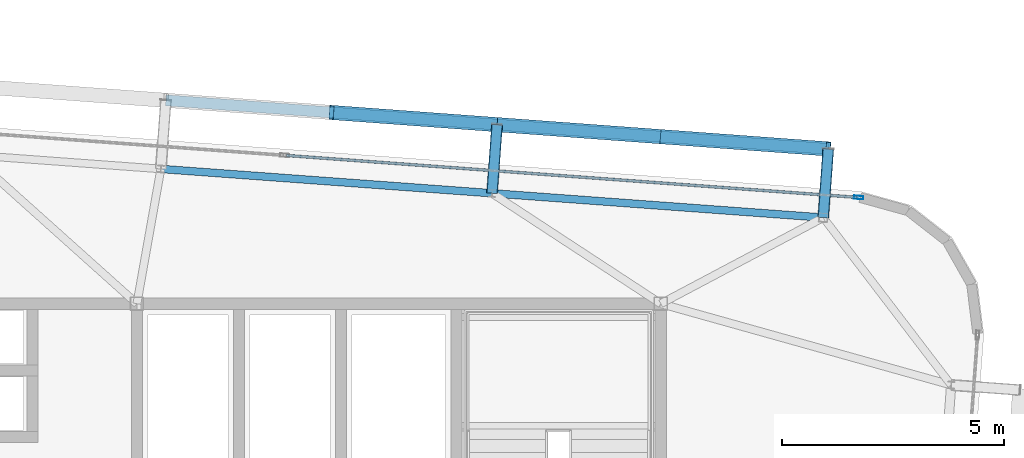
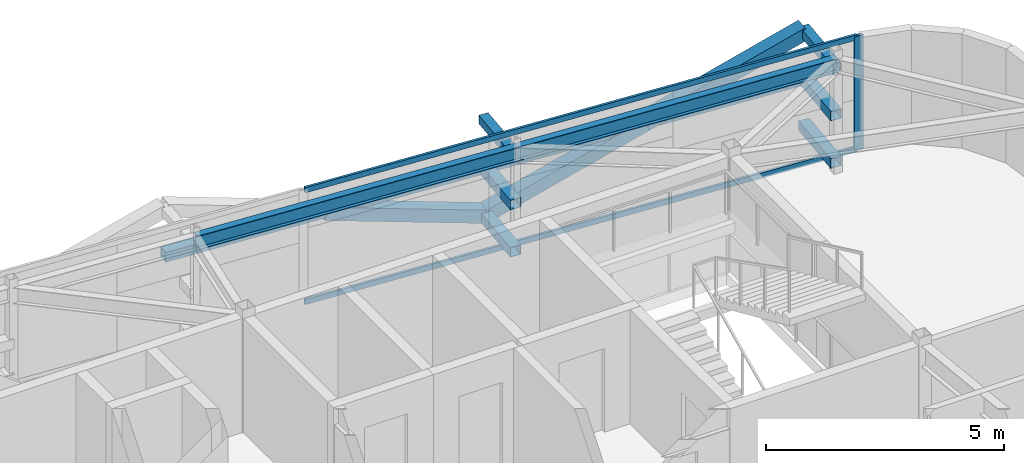
# One storey, part 22 of 35: 14 members, 2 beams, 1 element without a shape of its own.
"""IFC4 building model written with IfcOpenShell, lengths in metres."""

import ifcopenshell
import ifcopenshell.guid

model = None  # the IFC model being written
_history = None  # IfcOwnerHistory: only IFC2X3 demands one
_inside = {}  # id of a spatial element -> (the spatial element, [elements in it])
_under = {}  # id of a project, library or spatial element -> (it, [spatial elements below it])
_declared = {}  # id of a project -> (the project, [libraries it declares])
_typed = {}  # id of a type object -> (the type object, [elements of that type])
_made_of = {}  # id of a material, layer set ... -> (it, [elements and type objects made of it])


def new_model(schema):
    """Start an empty IFC model of exactly this schema.

    Asked for "IFC4X3", IfcOpenShell would pick the latest addendum, in which some entities
    have other attributes; the version numbers below select the first issue.
    IFC2X3 requires an IfcOwnerHistory on every rooted entity: one is made here for all.
    """
    global model, _history
    if schema == "IFC4X3":
        model = ifcopenshell.file(schema_version=(4, 3, 0, 0))
    else:
        model = ifcopenshell.file(schema=schema)
    _inside.clear()
    _under.clear()
    _declared.clear()
    _typed.clear()
    _made_of.clear()
    _history = None
    if model.schema == "IFC2X3":
        org = make("IfcOrganization", Name="unknown")
        user = make(
            "IfcPersonAndOrganization",
            ThePerson=make("IfcPerson", FamilyName="unknown"),
            TheOrganization=org,
        )
        app = make(
            "IfcApplication",
            ApplicationDeveloper=org,
            Version="unknown",
            ApplicationFullName="unknown",
            ApplicationIdentifier="unknown",
        )
        _history = make(
            "IfcOwnerHistory",
            OwningUser=user,
            OwningApplication=app,
            ChangeAction="ADDED",
            CreationDate=0,
        )
    return model


def make(cls, **values):
    """One entity of the class cls with the attributes given. An attribute that is None is left unset."""
    return model.create_entity(
        cls, **{name: value for name, value in values.items() if value is not None}
    )


def rooted(cls, **values):
    """An entity with a GlobalId (a new one), such as an element, a storey or a relation."""
    return make(cls, GlobalId=ifcopenshell.guid.new(), OwnerHistory=_history, **values)


def si_unit(unit_type, name, prefix=None):
    """IfcSIUnit, for example si_unit("LENGTHUNIT", "METRE", prefix="MILLI")."""
    return make("IfcSIUnit", UnitType=unit_type, Prefix=prefix, Name=name)


def assignment(units):
    """IfcUnitAssignment: the units of a project."""
    return None if units is None else make("IfcUnitAssignment", Units=units)


def point(xyz):
    """IfcCartesianPoint."""
    return None if xyz is None else make("IfcCartesianPoint", Coordinates=xyz)


def direction(xyz):
    """IfcDirection."""
    return None if xyz is None else make("IfcDirection", DirectionRatios=xyz)


def frame(location, z_axis=None, x_axis=None):
    """IfcAxis2Placement3D, a coordinate frame: its origin and axes. An axis left out is left unset."""
    return make(
        "IfcAxis2Placement3D",
        Location=point(location),
        Axis=direction(z_axis),
        RefDirection=direction(x_axis),
    )


def frame_2d(location, x_axis=None):
    """IfcAxis2Placement2D, a coordinate frame in the plane: its origin and x axis."""
    return make(
        "IfcAxis2Placement2D", Location=point(location), RefDirection=direction(x_axis)
    )


def origin():
    """The frame at (0, 0, 0) with its axes left unset."""
    return frame((0.0, 0.0, 0.0))


def origin_2d():
    """The frame at (0, 0) in the plane with its x axis left unset."""
    return frame_2d((0.0, 0.0))


def place(relative_to, where):
    """IfcLocalPlacement: puts the frame where relative to a parent placement (None: the world)."""
    return make(
        "IfcLocalPlacement", PlacementRelTo=relative_to, RelativePlacement=where
    )


def context(
    kind, dimensions, precision=None, world=None, true_north=None, identifier=None
):
    """IfcGeometricRepresentationContext, for example the 3D "Model" context."""
    return make(
        "IfcGeometricRepresentationContext",
        ContextIdentifier=identifier,
        ContextType=kind,
        CoordinateSpaceDimension=dimensions,
        Precision=precision,
        WorldCoordinateSystem=world,
        TrueNorth=true_north,
    )


def subcontext(parent, identifier, kind, view, scale=None):
    """IfcGeometricRepresentationSubContext, for example "Body" below "Model"."""
    return make(
        "IfcGeometricRepresentationSubContext",
        ContextIdentifier=identifier,
        ContextType=kind,
        ParentContext=parent,
        TargetScale=scale,
        TargetView=view,
    )


def project(units=None, contexts=None):
    """IfcProject with its units and contexts."""
    return rooted(
        "IfcProject",
        Name="project",
        RepresentationContexts=contexts,
        UnitsInContext=assignment(units),
    )


def spatial(cls, under=None, at=None, **own):
    """A site, building, storey or space (cls), placed at a placement, below another one or the project."""
    s = rooted(cls, ObjectPlacement=at, **own)
    if under is not None:
        _under.setdefault(under.id(), (under, []))[1].append(s)
    return s


def profile(cls, at=None, kind="AREA", **sizes):
    """A parametric profile (cls). Its sizes go by their IFC names, for example OverallWidth=200.0."""
    return make(cls, ProfileType=kind, Position=at, **sizes)


def hollow_rectangle(**sizes):
    """IfcRectangleHollowProfileDef."""
    return profile("IfcRectangleHollowProfileDef", **sizes)


def i_section(**sizes):
    """IfcIShapeProfileDef."""
    return profile("IfcIShapeProfileDef", **sizes)


def extrude(swept, where, along, depth):
    """IfcExtrudedAreaSolid: the profile swept, set in the frame where, extruded along a direction by depth."""
    return make(
        "IfcExtrudedAreaSolid",
        SweptArea=swept,
        Position=where,
        ExtrudedDirection=direction(along),
        Depth=depth,
    )


def shape(context_of_items, identifier, shape_type, items):
    """IfcShapeRepresentation: the items that make up one representation, for example the "Body"."""
    return make(
        "IfcShapeRepresentation",
        ContextOfItems=context_of_items,
        RepresentationIdentifier=identifier,
        RepresentationType=shape_type,
        Items=items,
    )


def source(mapping_origin, context_of_items, identifier, shape_type, items):
    """IfcRepresentationMap: a shape defined once, which mapped items show again and again."""
    return make(
        "IfcRepresentationMap",
        MappingOrigin=mapping_origin,
        MappedRepresentation=shape(context_of_items, identifier, shape_type, items),
    )


def transform(
    local_origin,
    x_axis=None,
    y_axis=None,
    z_axis=None,
    scale=None,
    scale2=None,
    scale3=None,
    uniform=True,
):
    """IfcCartesianTransformationOperator3D, or its non-uniform kind. x_axis, y_axis, z_axis: its Axis1, 2, 3."""
    if uniform:
        return make(
            "IfcCartesianTransformationOperator3D",
            Axis1=direction(x_axis),
            Axis2=direction(y_axis),
            LocalOrigin=point(local_origin),
            Scale=scale,
            Axis3=direction(z_axis),
        )
    return make(
        "IfcCartesianTransformationOperator3DnonUniform",
        Axis1=direction(x_axis),
        Axis2=direction(y_axis),
        LocalOrigin=point(local_origin),
        Scale=scale,
        Axis3=direction(z_axis),
        Scale2=scale2,
        Scale3=scale3,
    )


def mapped(mapping_source, mapping_target):
    """IfcMappedItem: shows the shape of a source again, moved by a transform."""
    return make(
        "IfcMappedItem", MappingSource=mapping_source, MappingTarget=mapping_target
    )


def material(Name=None, Category=None):
    """IfcMaterial."""
    return make("IfcMaterial", Name=Name, Category=Category)


def layer(
    of_material, thickness, ventilated=None, Name=None, Category=None, Priority=None
):
    """IfcMaterialLayer: one layer of a wall or slab, of a material (None: an air gap)."""
    return make(
        "IfcMaterialLayer",
        Material=of_material,
        LayerThickness=thickness,
        IsVentilated=ventilated,
        Name=Name,
        Category=Category,
        Priority=Priority,
    )


def layer_set(layers, Name=None):
    """IfcMaterialLayerSet."""
    return make("IfcMaterialLayerSet", MaterialLayers=layers, LayerSetName=Name)


def material_profile(
    of_material, cross_section, Name=None, Category=None, Priority=None
):
    """IfcMaterialProfile: a cross section and its material."""
    return make(
        "IfcMaterialProfile",
        Name=Name,
        Material=of_material,
        Profile=cross_section,
        Priority=Priority,
        Category=Category,
    )


def profile_set(profiles, Name=None, composite=None):
    """IfcMaterialProfileSet."""
    return make(
        "IfcMaterialProfileSet",
        Name=Name,
        MaterialProfiles=profiles,
        CompositeProfile=composite,
    )


def made_of(thing, what):
    """Note that an element or type object is made of a material, layer set ...; save() writes the relation."""
    if what is not None:
        _made_of.setdefault(what.id(), (what, []))[1].append(thing)
    return thing


def type_object(cls, material=None, **own):
    """A type object (cls), such as IfcWallType, which elements share."""
    return made_of(rooted(cls, **own), material)


def element(
    cls,
    number,
    at=None,
    inside=None,
    cuts=None,
    type_object=None,
    material=None,
    context=None,
    identifier="Body",
    shape_type=None,
    held_by="IfcProductDefinitionShape",
    body=None,
    shapes=None,
    **own,
):
    """One element of the class cls, such as IfcWall. Its Tag is "e" and its number.

    at: its placement. inside: the storey or other place that contains it. cuts: it is an
    opening in that element (IfcRelVoidsElement). A single representation is given by context,
    identifier, shape_type and body (its items); several are given by shapes. held_by: the class
    of the entity that holds the representations. save() writes the other relations.
    """
    e = rooted(cls, Tag="e%d" % number, ObjectPlacement=at, **own)
    if body is not None:
        shapes = [shape(context, identifier, shape_type, body)]
    if shapes is not None:
        e.Representation = make(held_by, Representations=shapes)
    if inside is not None:
        _inside.setdefault(inside.id(), (inside, []))[1].append(e)
    if cuts is not None:
        rooted(
            "IfcRelVoidsElement", RelatingBuildingElement=cuts, RelatedOpeningElement=e
        )
    if type_object is not None:
        _typed.setdefault(type_object.id(), (type_object, []))[1].append(e)
    return made_of(e, material)


def aggregate(whole, parts):
    """IfcRelAggregates: a whole, such as a stair, and the parts it consists of."""
    return rooted("IfcRelAggregates", RelatingObject=whole, RelatedObjects=parts)


def save(model, path):
    """Write the relations noted so far, then the file.

    IfcRelAggregates (storeys below a building ...), IfcRelContainedInSpatialStructure (elements
    in a storey), IfcRelDefinesByType, IfcRelAssociatesMaterial and IfcRelDeclares: one each for
    every whole, place, type object, material and project.
    """
    for whole, parts in _under.values():
        aggregate(whole, parts)
    for where, things in _inside.values():
        rooted(
            "IfcRelContainedInSpatialStructure",
            RelatedElements=things,
            RelatingStructure=where,
        )
    for kind, things in _typed.values():
        rooted("IfcRelDefinesByType", RelatedObjects=things, RelatingType=kind)
    for what, things in _made_of.values():
        rooted("IfcRelAssociatesMaterial", RelatedObjects=things, RelatingMaterial=what)
    for by, libraries in _declared.values():
        rooted("IfcRelDeclares", RelatingContext=by, RelatedDefinitions=libraries)
    model.write(path)


model = new_model("IFC4")

# Units and contexts
model_context = context("Model", 3, precision=1e-05, world=origin(), true_north=direction((0.0, 1.0)))
body_context = subcontext(model_context, "Body", "Model", "MODEL_VIEW")
ifc_project = project(units=[si_unit("LENGTHUNIT", "METRE"), si_unit("AREAUNIT", "SQUARE_METRE"), si_unit("VOLUMEUNIT", "CUBIC_METRE"), si_unit("PLANEANGLEUNIT", "RADIAN"), si_unit("MASSUNIT", "GRAM", prefix="KILO")], contexts=[model_context])

# Site, building, storey
site_placement = place(None, origin())
site = spatial("IfcSite", under=ifc_project, at=site_placement, CompositionType="ELEMENT")
building_placement = place(site_placement, origin())
building = spatial("IfcBuilding", under=site, at=building_placement, Name="Taldren Reach Tower", CompositionType="ELEMENT")
storey_placement = place(building_placement, frame((0.0, 0.0, 236.60009765625)))
storey = spatial("IfcBuildingStorey", under=building, at=storey_placement, Name="L72", CompositionType="ELEMENT", Elevation=236.60009765625)

# Members
ifc_material_1 = material(Name="Steel Gr 350 (C350L0)", Category="steel")
ifc_material_profile_1 = material_profile(ifc_material_1, hollow_rectangle(XDim=0.25, YDim=0.25, WallThickness=0.010009765625, at=origin_2d()), Name="250x250x10.0SHS")
ifc_profile_set_1 = profile_set([ifc_material_profile_1], Name="Steel Gr 350 (C350L0)")
member_type_1 = type_object("IfcMemberType", Name="MB-POST250", PredefinedType="POST", material=ifc_profile_set_1)
shared_shape_1 = source(origin(), body_context, "Body", "SweptSolid", [
    extrude(hollow_rectangle(XDim=0.25, YDim=0.25, WallThickness=0.010009765625, at=origin_2d()), origin(), (0.0, 0.0, 1.0), 1.550048828125),
])
for number, where, z_axis, x_axis, name in (
    (1, (47.199462890625, 34.487548828125, 0.219970703125), (0.07323929162, 0.997314396849, 0.0), (-0.997314396849, 0.07323929162, 0.0), "Exoskeleton base diaphragm tie strut B5-N5 L72"),
    (2, (54.659423828125, 33.939697265625, 0.219970703125), (0.07323929162, 0.997314396849, 0.0), (-0.997314396849, 0.07323929162, 0.0), "Exoskeleton base diaphragm tie strut B5-N6 L72"),
    (3, (47.199462890625, 34.487548828125, 1.434814453125), (0.07323929162, 0.997314396849, 0.0), (-0.997314396849, 0.07323929162, 0.0), "Exoskeleton mid-tier diaphragm tie B5-N5 L72"),
    (4, (54.659423828125, 33.939697265625, 1.434814453125), (0.07323929162, 0.997314396849, 0.0), (-0.997314396849, 0.07323929162, 0.0), "Exoskeleton mid-tier diaphragm tie B5-N6 L72"),
):
    element("IfcMember", number, at=place(storey_placement, frame(where, z_axis=z_axis, x_axis=x_axis)), inside=storey, type_object=member_type_1, Name=name, PredefinedType="POST", context=body_context, shape_type="MappedRepresentation", body=[
        mapped(shared_shape_1, transform((0.0, 0.0, 0.0), scale=1.0)),
    ])
ifc_material_2 = material(Name="Steel Gr 450 (C450L0)", Category="steel")
ifc_material_profile_2 = material_profile(ifc_material_2, hollow_rectangle(XDim=0.219970703125, YDim=0.219970703125, WallThickness=0.00830078125, at=origin_2d()), Name="220x220x8.2SHS")
ifc_profile_set_2 = profile_set([ifc_material_profile_2], Name="Steel Gr 450 (C450L0)")
member_type_2 = type_object("IfcMemberType", Name="MB-TIE219", PredefinedType="STRUT", material=ifc_profile_set_2)
shared_shape_2 = source(origin(), body_context, "Body", "SweptSolid", [
    extrude(hollow_rectangle(XDim=0.219970703125, YDim=0.219970703125, WallThickness=0.00830078125, at=origin_2d()), origin(), (0.0, 0.0, 1.0), 1.550048828125),
])
for number, where, z_axis, x_axis, name in (
    (5, (47.199462890625, 34.487548828125, 2.64990234375), (0.07323929162, 0.997314396849, 0.0), (-0.997314396849, 0.07323929162, 0.0), "Exoskeleton diaphragm tie strut B5-N5 L72"),
    (6, (54.659423828125, 33.939697265625, 2.64990234375), (0.07323929162, 0.997314396849, 0.0), (-0.997314396849, 0.07323929162, 0.0), "Exoskeleton diaphragm tie strut B5-N6 L72"),
):
    element("IfcMember", number, at=place(storey_placement, frame(where, z_axis=z_axis, x_axis=x_axis)), inside=storey, type_object=member_type_2, Name=name, PredefinedType="STRUT", context=body_context, shape_type="MappedRepresentation", body=[
        mapped(shared_shape_2, transform((0.0, 0.0, 0.0), scale=1.0)),
    ])

# Beams
ifc_material_3 = material(Name="Steel Gr 350 (350PLUS)", Category="steel")
ifc_material_profile_3 = material_profile(ifc_material_3, i_section(OverallWidth=0.172119140625, OverallDepth=0.35888671875, WebThickness=0.008056640625, FlangeThickness=0.012939453125, at=origin_2d()), Name="360UB56.7")
ifc_profile_set_3 = profile_set([ifc_material_profile_3], Name="Steel Gr 350 (350PLUS)")
beam_type = type_object("IfcBeamType", Name="SP-UB360", PredefinedType="SPANDREL", material=ifc_profile_set_3)
shared_shape_3 = source(origin(), body_context, "Body", "SweptSolid", [
    extrude(i_section(OverallWidth=0.172119140625, OverallDepth=0.35888671875, WebThickness=0.008056640625, FlangeThickness=0.012939453125, at=origin_2d()), origin(), (0.0, 0.0, 1.0), 7.47998046875),
])
for number, where, z_axis, x_axis, name in (
    (7, (54.659423828125, 33.939697265625, 2.75048828125), (-0.997314220642, 0.07324169103, 0.0), (-0.07324169103, -0.997314220642, 0.0), "Perimeter spandrel B5 N6-N5 L72"),
    (8, (47.199462890625, 34.487548828125, 2.75048828125), (-0.997314220642, 0.07324169103, 0.0), (-0.07324169103, -0.997314220642, 0.0), "Perimeter spandrel B5 N5-N4 L72"),
):
    element("IfcBeam", number, at=place(storey_placement, frame(where, z_axis=z_axis, x_axis=x_axis)), inside=storey, type_object=beam_type, Name=name, PredefinedType="SPANDREL", context=body_context, shape_type="MappedRepresentation", body=[
        mapped(shared_shape_3, transform((0.0, 0.0, 0.0), scale=1.0)),
    ])

# Members
ifc_material_profile_4 = material_profile(ifc_material_2, hollow_rectangle(XDim=0.324951171875, YDim=0.324951171875, WallThickness=0.0126953125, at=origin_2d()), Name="325x325x12.7SHS")
ifc_profile_set_4 = profile_set([ifc_material_profile_4], Name="Steel Gr 450 (C450L0)")
member_type_3 = type_object("IfcMemberType", Name="MB-BR324", PredefinedType="BRACE", material=ifc_profile_set_4)
shared_shape_4 = source(origin(), body_context, "Body", "SweptSolid", [
    extrude(hollow_rectangle(XDim=0.324951171875, YDim=0.324951171875, WallThickness=0.0126953125, at=origin_2d()), origin(), (0.0, 0.0, 1.0), 3.932373046875),
])
for number, where, z_axis, x_axis, name in (
    (9, (47.31298828125, 36.033447265625, 0.219970703125), (-0.948529326954, 0.06965898055, 0.308933232813), (-0.07324169103, -0.997314220642, 0.0), "Exoskeleton Diagrid Brace B5-N4 L72"),
    (10, (47.31298828125, 36.033447265625, 0.219970703125), (0.948529326954, -0.06965898055, 0.308933232813), (0.07324169103, 0.997314220642, 0.0), "Exoskeleton Diagrid Brace B5-N5 L72"),
    (11, (51.04296875, 35.759521484375, 1.434814453125), (0.948511132845, -0.069657644394, 0.308989390507), (0.07324169103, 0.997314220642, 0.0), "Exoskeleton Diagrid Brace B5-N5 L72"),
):
    element("IfcMember", number, at=place(storey_placement, frame(where, z_axis=z_axis, x_axis=x_axis)), inside=storey, type_object=member_type_3, Name=name, PredefinedType="BRACE", context=body_context, shape_type="MappedRepresentation", body=[
        mapped(shared_shape_4, transform((0.0, 0.0, 0.0), scale=1.0)),
    ])
shared_shape_5 = source(origin(), body_context, "Body", "SweptSolid", [
    extrude(hollow_rectangle(XDim=0.25, YDim=0.25, WallThickness=0.010009765625, at=origin_2d()), origin(), (0.0, 0.0, 1.0), 7.47998046875),
])
for number, where, z_axis, x_axis, name in (
    (12, (39.85302734375, 36.581298828125, 1.434814453125), (0.997314220642, -0.07324169103, 0.0), (0.07324169103, 0.997314220642, 0.0), "Exoskeleton mid-height ring chord B5-N4 L72"),
    (13, (47.31298828125, 36.033447265625, 1.434814453125), (0.997314220642, -0.07324169103, 0.0), (0.07324169103, 0.997314220642, 0.0), "Exoskeleton mid-height ring chord B5-N5 L72"),
):
    element("IfcMember", number, at=place(storey_placement, frame(where, z_axis=z_axis, x_axis=x_axis)), inside=storey, type_object=member_type_1, Name=name, PredefinedType="POST", context=body_context, shape_type="MappedRepresentation", body=[
        mapped(shared_shape_5, transform((0.0, 0.0, 0.0), scale=1.0)),
    ])

# Curtain wall, members
ifc_material_4 = material(Name="Aluminium and Low-E Glass Unitised System", Category="aluminium")
ifc_layer = layer(ifc_material_4, 0.159912109375)
ifc_layer_set = layer_set([ifc_layer], Name="Aluminium and Low-E Glass Unitised System")
curtain_wall_type = type_object("IfcCurtainWallType", Name="CW-SYS-6", PredefinedType="NOTDEFINED", material=ifc_layer_set)
curtain_wall_placement = place(storey_placement, origin())
curtain_wall = element("IfcCurtainWall", 14, at=curtain_wall_placement, inside=storey, type_object=curtain_wall_type, Name="Unitised curtain wall CW-L72-N", PredefinedType="NOTDEFINED")
ifc_material_5 = material(Name="Anodised Aluminium 6063-T6", Category="aluminium")
ifc_material_profile_5 = material_profile(ifc_material_5, hollow_rectangle(XDim=0.06005859375, YDim=0.135009765625, WallThickness=0.00341796875, at=origin_2d()), Name="ALU-135x60x3.5RHS")
ifc_profile_set_5 = profile_set([ifc_material_profile_5], Name="Anodised Aluminium 6063-T6")
member_type_4 = type_object("IfcMemberType", Name="CW-TRN-150", PredefinedType="USERDEFINED", material=ifc_profile_set_5)
shared_shape_6 = source(origin(), body_context, "Body", "SweptSolid", [
    extrude(hollow_rectangle(XDim=0.06005859375, YDim=0.135009765625, WallThickness=0.00341796875, at=origin_2d()), origin(), (0.0, 0.0, 1.0), 12.887451171875),
])
member_1_placement = place(storey_placement, frame((55.419677734375, 34.395263671875, 0.02978515625), z_axis=(-0.997314487101, 0.07323806263, 0.0), x_axis=(-0.07323806263, -0.997314487101, 0.0)))
member_1 = element("IfcMember", 15, at=member_1_placement, type_object=member_type_4, Name="CW-6 transom 1.1", ObjectType="TRANSOM", PredefinedType="USERDEFINED", context=body_context, shape_type="MappedRepresentation", body=[
    mapped(shared_shape_6, transform((0.0, 0.0, 0.0), scale=1.0)),
])
member_2_placement = place(storey_placement, frame((55.419677734375, 34.395263671875, 2.89990234375), z_axis=(-0.997314487101, 0.07323806263, 0.0), x_axis=(-0.07323806263, -0.997314487101, 0.0)))
member_2 = element("IfcMember", 16, at=member_2_placement, type_object=member_type_4, Name="CW-6 transom 1.2", ObjectType="TRANSOM", PredefinedType="USERDEFINED", context=body_context, shape_type="MappedRepresentation", body=[
    mapped(shared_shape_6, transform((0.0, 0.0, 0.0), scale=1.0)),
])
ifc_material_profile_6 = material_profile(ifc_material_5, hollow_rectangle(XDim=0.074951171875, YDim=0.2099609375, WallThickness=0.00439453125, at=origin_2d()), Name="ALU-210x75x4.5RHS")
ifc_profile_set_6 = profile_set([ifc_material_profile_6], Name="Anodised Aluminium 6063-T6")
member_type_5 = type_object("IfcMemberType", Name="CW-MUL-200", PredefinedType="MULLION", material=ifc_profile_set_6)
shared_shape_7 = source(origin(), body_context, "Body", "SweptSolid", [
    extrude(hollow_rectangle(XDim=0.074951171875, YDim=0.2099609375, WallThickness=0.00439453125, at=origin_2d()), origin(), (0.0, 0.0, 1.0), 2.929931640625),
])
member_3_placement = place(storey_placement, frame((55.45703125, 34.392578125, 0.0), z_axis=(0.0, 0.0, 1.0), x_axis=(-0.073238213716, -0.997314476006, 0.0)))
member_3 = element("IfcMember", 17, at=member_3_placement, type_object=member_type_5, Name="CW-6 mullion 1", PredefinedType="MULLION", context=body_context, shape_type="MappedRepresentation", body=[
    mapped(shared_shape_7, transform((0.0, 0.0, 0.0), scale=1.0)),
])
aggregate(curtain_wall, [member_3, member_1, member_2])

save(model, "model.ifc")
